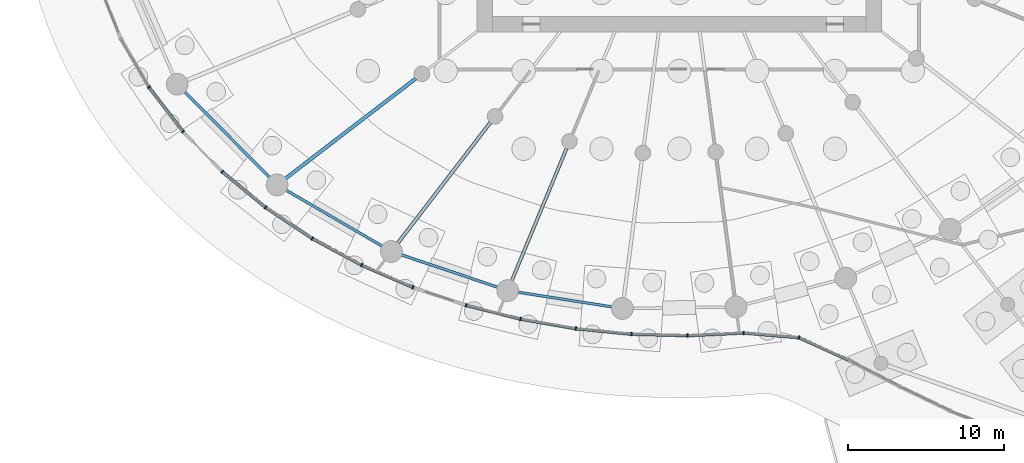
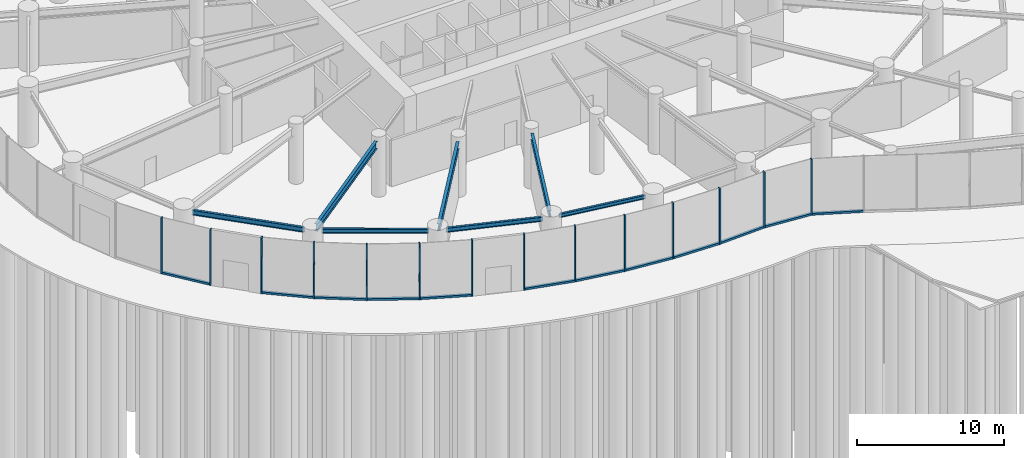
# One storey, part 5 of 28: 26 members, 7 beams, 3 elements without a shape of their own.
"""IFC4 building model written with IfcOpenShell, lengths in metres."""

from ifc_helpers import new_model, si_unit, direction, frame, origin, origin_2d, place, context, subcontext, project, spatial, rectangle, i_section, extrude, source, transform, mapped, material, layer, layer_set, material_profile, profile_set, type_object, element, aggregate, save


model = new_model("IFC4")

# Units and contexts
model_context = context("Model", 3, precision=1e-05, world=origin(), true_north=direction((0.0, 1.0)))
body_context = subcontext(model_context, "Body", "Model", "MODEL_VIEW")
ifc_project = project(units=[si_unit("LENGTHUNIT", "METRE"), si_unit("AREAUNIT", "SQUARE_METRE"), si_unit("VOLUMEUNIT", "CUBIC_METRE"), si_unit("PLANEANGLEUNIT", "RADIAN"), si_unit("MASSUNIT", "GRAM", prefix="KILO")], contexts=[model_context])

# Site, building, storey
site_placement = place(None, origin())
site = spatial("IfcSite", under=ifc_project, at=site_placement, CompositionType="ELEMENT")
building_placement = place(site_placement, origin())
building = spatial("IfcBuilding", under=site, at=building_placement, Name="Spindrift Exchange Tower", CompositionType="ELEMENT")
storey_placement = place(building_placement, origin())
storey = spatial("IfcBuildingStorey", under=building, at=storey_placement, Name="L00", CompositionType="ELEMENT", Elevation=0.0)

# Beams
ifc_material_1 = material(Name="Steel Grade 300", Category="steel")
ifc_material_profile_1 = material_profile(ifc_material_1, i_section(OverallWidth=0.22802734375, OverallDepth=0.60693359375, WebThickness=0.01123046875, FlangeThickness=0.017333984375, FilletRadius=0.013916015625, at=origin_2d()), Name="610UB113")
ifc_profile_set_1 = profile_set([ifc_material_profile_1], Name="Steel Grade 300")
beam_type_1 = type_object("IfcBeamType", Name="Floor Beam 610UB113 Steel Grade 300", PredefinedType="BEAM", material=ifc_profile_set_1)
shared_shape_1 = source(origin(), body_context, "Body", "SweptSolid", [
    extrude(i_section(OverallWidth=0.22802734375, OverallDepth=0.60693359375, WebThickness=0.01123046875, FlangeThickness=0.017333984375, FilletRadius=0.013916015625, at=origin_2d()), origin(), (0.0, 0.0, 1.0), 10.66357421875),
])
beam_1_placement = place(storey_placement, frame((35.08447265625, 35.020263671875, 4.346435546875), z_axis=(-0.793357926757, -0.608755451764, 0.0), x_axis=(0.608755451764, -0.793357926757, 0.0)))
element("IfcBeam", 1, at=beam_1_placement, inside=storey, type_object=beam_type_1, Name="L00 radial beam R15B", PredefinedType="BEAM", context=body_context, shape_type="MappedRepresentation", body=[
    mapped(shared_shape_1, transform((0.0, 0.0, 0.0), scale=1.0)),
])
shared_shape_2 = source(origin(), body_context, "Body", "SweptSolid", [
    extrude(i_section(OverallWidth=0.22802734375, OverallDepth=0.60693359375, WebThickness=0.01123046875, FlangeThickness=0.017333984375, FilletRadius=0.013916015625, at=origin_2d()), origin(), (0.0, 0.0, 1.0), 9.87548828125),
])
beam_2_placement = place(storey_placement, frame((39.872802734375, 32.1953125, 4.346435546875), z_axis=(-0.608772470836, -0.793344867477, 0.0), x_axis=(0.793344867477, -0.608772470836, 0.0)))
element("IfcBeam", 2, at=beam_2_placement, inside=storey, type_object=beam_type_1, Name="L00 radial beam R16B", PredefinedType="BEAM", context=body_context, shape_type="MappedRepresentation", body=[
    mapped(shared_shape_2, transform((0.0, 0.0, 0.0), scale=1.0)),
])
ifc_material_profile_2 = material_profile(ifc_material_1, i_section(OverallWidth=0.208984375, OverallDepth=0.532958984375, WebThickness=0.01025390625, FlangeThickness=0.015625, FilletRadius=0.013916015625, at=origin_2d()), Name="530UB92.4")
ifc_profile_set_2 = profile_set([ifc_material_profile_2], Name="Steel Grade 300")
beam_type_2 = type_object("IfcBeamType", Name="Floor Beam 530UB92.4 Steel Grade 300", PredefinedType="BEAM", material=ifc_profile_set_2)
shared_shape_3 = source(origin(), body_context, "Body", "SweptSolid", [
    extrude(i_section(OverallWidth=0.208984375, OverallDepth=0.532958984375, WebThickness=0.01025390625, FlangeThickness=0.015625, FilletRadius=0.013916015625, at=origin_2d()), origin(), (0.0, 0.0, 1.0), 9.309326171875),
])
beam_3_placement = place(storey_placement, frame((44.76171875, 30.525146484375, 4.383544921875), z_axis=(-0.382685326691, -0.923878747853, 0.0), x_axis=(0.923878747853, -0.382685326691, 0.0)))
element("IfcBeam", 3, at=beam_3_placement, inside=storey, type_object=beam_type_2, Name="L00 radial beam R17B", PredefinedType="BEAM", context=body_context, shape_type="MappedRepresentation", body=[
    mapped(shared_shape_3, transform((0.0, 0.0, 0.0), scale=1.0)),
])
ifc_material_profile_3 = material_profile(ifc_material_1, i_section(OverallWidth=0.177978515625, OverallDepth=0.406005859375, WebThickness=0.0078125, FlangeThickness=0.0126953125, FilletRadius=0.013916015625, at=origin_2d()), Name="410UB59.7")
ifc_profile_set_3 = profile_set([ifc_material_profile_3], Name="Steel Grade 300")
beam_type_3 = type_object("IfcBeamType", Name="Edge Beam 410UB59.7 Steel Grade 300", PredefinedType="SPANDREL", material=ifc_profile_set_3)
shared_shape_4 = source(origin(), body_context, "Body", "SweptSolid", [
    extrude(i_section(OverallWidth=0.177978515625, OverallDepth=0.406005859375, WebThickness=0.0078125, FlangeThickness=0.0126953125, FilletRadius=0.013916015625, at=origin_2d()), origin(), (0.0, 0.0, 1.0), 7.947509765625),
])
beam_4_placement = place(storey_placement, frame((20.159423828125, 34.230224609375, 4.447021484375), z_axis=(0.704197895271, -0.710003749494, 0.0), x_axis=(0.710003749494, 0.704197895271, 0.0)))
element("IfcBeam", 4, at=beam_4_placement, inside=storey, type_object=beam_type_3, Name="L00 edge beam E14", PredefinedType="SPANDREL", context=body_context, shape_type="MappedRepresentation", body=[
    mapped(shared_shape_4, transform((0.0, 0.0, 0.0), scale=1.0)),
])
ifc_material_profile_4 = material_profile(ifc_material_1, i_section(OverallWidth=0.172119140625, OverallDepth=0.35888671875, WebThickness=0.008056640625, FlangeThickness=0.012939453125, FilletRadius=0.013916015625, at=origin_2d()), Name="360UB56.7")
ifc_profile_set_4 = profile_set([ifc_material_profile_4], Name="Steel Grade 300")
beam_type_4 = type_object("IfcBeamType", Name="Edge Beam 360UB56.7 Steel Grade 300", PredefinedType="SPANDREL", material=ifc_profile_set_4)
shared_shape_5 = source(origin(), body_context, "Body", "SweptSolid", [
    extrude(i_section(OverallWidth=0.172119140625, OverallDepth=0.35888671875, WebThickness=0.008056640625, FlangeThickness=0.012939453125, FilletRadius=0.013916015625, at=origin_2d()), origin(), (0.0, 0.0, 1.0), 7.33740234375),
])
beam_5_placement = place(storey_placement, frame((26.66552734375, 27.8837890625, 4.470458984375), z_axis=(0.864211826308, -0.503128134047, 0.0), x_axis=(0.503128134047, 0.864211826308, 0.0)))
element("IfcBeam", 5, at=beam_5_placement, inside=storey, type_object=beam_type_4, Name="L00 edge beam E15", PredefinedType="SPANDREL", context=body_context, shape_type="MappedRepresentation", body=[
    mapped(shared_shape_5, transform((0.0, 0.0, 0.0), scale=1.0)),
])
shared_shape_6 = source(origin(), body_context, "Body", "SweptSolid", [
    extrude(i_section(OverallWidth=0.172119140625, OverallDepth=0.35888671875, WebThickness=0.008056640625, FlangeThickness=0.012939453125, FilletRadius=0.013916015625, at=origin_2d()), origin(), (0.0, 0.0, 1.0), 6.72021484375),
])
beam_6_placement = place(storey_placement, frame((34.0576171875, 23.71533203125, 4.470458984375), z_axis=(0.947851749681, -0.318711563372, 0.0), x_axis=(0.318711563372, 0.947851749681, 0.0)))
element("IfcBeam", 6, at=beam_6_placement, inside=storey, type_object=beam_type_4, Name="L00 edge beam E16", PredefinedType="SPANDREL", context=body_context, shape_type="MappedRepresentation", body=[
    mapped(shared_shape_6, transform((0.0, 0.0, 0.0), scale=1.0)),
])
ifc_material_profile_5 = material_profile(ifc_material_1, i_section(OverallWidth=0.1650390625, OverallDepth=0.303955078125, WebThickness=0.006103515625, FlangeThickness=0.01025390625, FilletRadius=0.011474609375, at=origin_2d()), Name="310UB40.4")
ifc_profile_set_5 = profile_set([ifc_material_profile_5], Name="Steel Grade 300")
beam_type_5 = type_object("IfcBeamType", Name="Edge Beam 310UB40.4 Steel Grade 300", PredefinedType="SPANDREL", material=ifc_profile_set_5)
shared_shape_7 = source(origin(), body_context, "Body", "SweptSolid", [
    extrude(i_section(OverallWidth=0.1650390625, OverallDepth=0.303955078125, WebThickness=0.006103515625, FlangeThickness=0.01025390625, FilletRadius=0.011474609375, at=origin_2d()), origin(), (0.0, 0.0, 1.0), 6.297119140625),
])
beam_7_placement = place(storey_placement, frame((41.55029296875, 21.29931640625, 4.498046875), z_axis=(0.98802902915, -0.154268070436, 0.0), x_axis=(0.154268070436, 0.98802902915, 0.0)))
element("IfcBeam", 7, at=beam_7_placement, inside=storey, type_object=beam_type_5, Name="L00 edge beam E17", PredefinedType="SPANDREL", context=body_context, shape_type="MappedRepresentation", body=[
    mapped(shared_shape_7, transform((0.0, 0.0, 0.0), scale=1.0)),
])

# Curtain wall, members
ifc_material_2 = material(Name="Fritted laminated glass with bronze frame", Category="glass")
ifc_layer = layer(ifc_material_2, 0.219970703125)
ifc_layer_set = layer_set([ifc_layer], Name="PODIUM BRONZE GLAZED WALL")
curtain_wall_type = type_object("IfcCurtainWallType", Name="PODIUM BRONZE GLAZED WALL", PredefinedType="NOTDEFINED", material=ifc_layer_set)
curtain_wall_1_placement = place(storey_placement, origin())
curtain_wall_1 = element("IfcCurtainWall", 8, at=curtain_wall_1_placement, inside=storey, type_object=curtain_wall_type, Name="L00 Podium Bronze Glazed Wall run 8", PredefinedType="NOTDEFINED")
ifc_material_3 = material(Name="Bronze anodised aluminium", Category="aluminium")
ifc_material_profile_6 = material_profile(ifc_material_3, rectangle(XDim=0.090087890625, YDim=0.219970703125, at=origin_2d()), Name="PODIUM BRONZE GLAZED WALL MULLION 90X220")
ifc_profile_set_6 = profile_set([ifc_material_profile_6], Name="Bronze anodised aluminium")
member_type_1 = type_object("IfcMemberType", Name="PODIUM BRONZE GLAZED WALL MULLION 90X220", PredefinedType="MULLION", material=ifc_profile_set_6)
shared_shape_8 = source(origin(), body_context, "Body", "SweptSolid", [
    extrude(rectangle(XDim=0.090087890625, YDim=0.219970703125, at=origin_2d()), origin(), (0.0, 0.0, 1.0), 4.64990234375),
])
member_1_placement = place(storey_placement, frame((17.931640625, 34.4580078125, 0.0), z_axis=(0.0, 0.0, 1.0), x_axis=(0.556122833519, -0.83110011072, 0.0)))
member_1 = element("IfcMember", 9, at=member_1_placement, type_object=member_type_1, Name="L00 mullion CW-P.43", PredefinedType="MULLION", context=body_context, shape_type="MappedRepresentation", body=[
    mapped(shared_shape_8, transform((0.0, 0.0, 0.0), scale=1.0)),
])
member_2_placement = place(storey_placement, frame((20.12353515625, 31.6005859375, 0.0), z_axis=(0.0, 0.0, 1.0), x_axis=(0.654722892867, -0.755868992324, 0.0)))
member_2 = element("IfcMember", 10, at=member_2_placement, type_object=member_type_1, Name="L00 mullion CW-P.44", PredefinedType="MULLION", context=body_context, shape_type="MappedRepresentation", body=[
    mapped(shared_shape_8, transform((0.0, 0.0, 0.0), scale=1.0)),
])
member_3_placement = place(storey_placement, frame((22.63916015625, 29.023193359375, 0.0), z_axis=(0.0, 0.0, 1.0), x_axis=(0.73653093429, -0.676403860748, 0.0)))
member_3 = element("IfcMember", 11, at=member_3_placement, type_object=member_type_1, Name="L00 mullion CW-P.45", PredefinedType="MULLION", context=body_context, shape_type="MappedRepresentation", body=[
    mapped(shared_shape_8, transform((0.0, 0.0, 0.0), scale=1.0)),
])
member_4_placement = place(storey_placement, frame((25.421142578125, 26.735595703125, 0.0), z_axis=(0.0, 0.0, 1.0), x_axis=(0.803241279116, -0.59565379838, 0.0)))
member_4 = element("IfcMember", 12, at=member_4_placement, type_object=member_type_1, Name="L00 mullion CW-P.46", PredefinedType="MULLION", context=body_context, shape_type="MappedRepresentation", body=[
    mapped(shared_shape_8, transform((0.0, 0.0, 0.0), scale=1.0)),
])
member_5_placement = place(storey_placement, frame((28.41845703125, 24.737548828125, 0.0), z_axis=(0.0, 0.0, 1.0), x_axis=(0.856959794091, -0.515383266425, 0.0)))
member_5 = element("IfcMember", 13, at=member_5_placement, type_object=member_type_1, Name="L00 mullion CW-P.47", PredefinedType="MULLION", context=body_context, shape_type="MappedRepresentation", body=[
    mapped(shared_shape_8, transform((0.0, 0.0, 0.0), scale=1.0)),
])
member_6_placement = place(storey_placement, frame((31.58837890625, 23.026611328125, 0.0), z_axis=(0.0, 0.0, 1.0), x_axis=(0.899806217662, -0.43628977831, 0.0)))
member_6 = element("IfcMember", 14, at=member_6_placement, type_object=member_type_1, Name="L00 mullion CW-P.48", PredefinedType="MULLION", context=body_context, shape_type="MappedRepresentation", body=[
    mapped(shared_shape_8, transform((0.0, 0.0, 0.0), scale=1.0)),
])

curtain_wall_2_placement = place(storey_placement, origin())
curtain_wall_2 = element("IfcCurtainWall", 15, at=curtain_wall_2_placement, inside=storey, type_object=curtain_wall_type, Name="L00 Podium Bronze Glazed Wall run 9", PredefinedType="NOTDEFINED")
member_7_placement = place(storey_placement, frame((34.895263671875, 21.59716796875, 0.0), z_axis=(0.0, 0.0, 1.0), x_axis=(0.933489236515, -0.358605417292, 0.0)))
member_7 = element("IfcMember", 16, at=member_7_placement, type_object=member_type_1, Name="L00 mullion CW-P.49", PredefinedType="MULLION", context=body_context, shape_type="MappedRepresentation", body=[
    mapped(shared_shape_8, transform((0.0, 0.0, 0.0), scale=1.0)),
])
member_8_placement = place(storey_placement, frame((38.30859375, 20.44482421875, 0.0), z_axis=(0.0, 0.0, 1.0), x_axis=(0.959252347303, -0.282550763923, 0.0)))
member_8 = element("IfcMember", 17, at=member_8_placement, type_object=member_type_1, Name="L00 mullion CW-P.50", PredefinedType="MULLION", context=body_context, shape_type="MappedRepresentation", body=[
    mapped(shared_shape_8, transform((0.0, 0.0, 0.0), scale=1.0)),
])
member_9_placement = place(storey_placement, frame((41.801513671875, 19.562744140625, 0.0), z_axis=(0.0, 0.0, 1.0), x_axis=(0.97812131942, -0.208035296276, 0.0)))
member_9 = element("IfcMember", 18, at=member_9_placement, type_object=member_type_1, Name="L00 mullion CW-P.51", PredefinedType="MULLION", context=body_context, shape_type="MappedRepresentation", body=[
    mapped(shared_shape_8, transform((0.0, 0.0, 0.0), scale=1.0)),
])
member_10_placement = place(storey_placement, frame((45.351318359375, 18.947021484375, 0.0), z_axis=(0.0, 0.0, 1.0), x_axis=(0.990913245691, -0.134502563227, 0.0)))
member_10 = element("IfcMember", 19, at=member_10_placement, type_object=member_type_1, Name="L00 mullion CW-P.52", PredefinedType="MULLION", context=body_context, shape_type="MappedRepresentation", body=[
    mapped(shared_shape_8, transform((0.0, 0.0, 0.0), scale=1.0)),
])
member_11_placement = place(storey_placement, frame((48.936767578125, 18.59423828125, 0.0), z_axis=(0.0, 0.0, 1.0), x_axis=(0.998098116192, -0.061645360355, 0.0)))
member_11 = element("IfcMember", 20, at=member_11_placement, type_object=member_type_1, Name="L00 mullion CW-P.53", PredefinedType="MULLION", context=body_context, shape_type="MappedRepresentation", body=[
    mapped(shared_shape_8, transform((0.0, 0.0, 0.0), scale=1.0)),
])
member_12_placement = place(storey_placement, frame((52.53857421875, 18.503173828125, 0.0), z_axis=(0.0, 0.0, 1.0), x_axis=(0.999941328454, 0.010832342729, 0.0)))
member_12 = element("IfcMember", 21, at=member_12_placement, type_object=member_type_1, Name="L00 mullion CW-P.54", PredefinedType="MULLION", context=body_context, shape_type="MappedRepresentation", body=[
    mapped(shared_shape_8, transform((0.0, 0.0, 0.0), scale=1.0)),
])

curtain_wall_3_placement = place(storey_placement, origin())
curtain_wall_3 = element("IfcCurtainWall", 22, at=curtain_wall_3_placement, inside=storey, type_object=curtain_wall_type, Name="L00 Podium Bronze Glazed Wall run 10", PredefinedType="NOTDEFINED")
member_13_placement = place(storey_placement, frame((56.13720703125, 18.67236328125, 0.0), z_axis=(0.0, 0.0, 1.0), x_axis=(0.999826978075, -0.01860144923, 0.0)))
member_13 = element("IfcMember", 23, at=member_13_placement, type_object=member_type_1, Name="L00 mullion CW-P.55", PredefinedType="MULLION", context=body_context, shape_type="MappedRepresentation", body=[
    mapped(shared_shape_8, transform((0.0, 0.0, 0.0), scale=1.0)),
])
member_14_placement = place(storey_placement, frame((59.685302734375, 18.372802734375, 0.0), z_axis=(0.0, 0.0, 1.0), x_axis=(0.967642723803, -0.252324313278, 0.0)))
member_14 = element("IfcMember", 24, at=member_14_placement, type_object=member_type_1, Name="L00 mullion CW-P.56", PredefinedType="MULLION", context=body_context, shape_type="MappedRepresentation", body=[
    mapped(shared_shape_8, transform((0.0, 0.0, 0.0), scale=1.0)),
])

# Member
ifc_material_profile_7 = material_profile(ifc_material_3, rectangle(XDim=0.199951171875, YDim=0.159912109375, at=origin_2d()), Name="PODIUM BRONZE GLAZED WALL TRANSOM 200X160")
ifc_profile_set_7 = profile_set([ifc_material_profile_7], Name="Bronze anodised aluminium")
member_type_2 = type_object("IfcMemberType", Name="PODIUM BRONZE GLAZED WALL TRANSOM 200X160", PredefinedType="USERDEFINED", material=ifc_profile_set_7)
shared_shape_9 = source(origin(), body_context, "Body", "SweptSolid", [
    extrude(rectangle(XDim=0.199951171875, YDim=0.159912109375, at=origin_2d()), origin(), (0.0, 0.0, 1.0), 3.51220703125),
])
member_15_placement = place(storey_placement, frame((28.4580078125, 24.716064453125, 0.080078125), z_axis=(0.880004187443, -0.474965925181, 0.0), x_axis=(0.474965925181, 0.880004187443, 0.0)))
member_15 = element("IfcMember", 25, at=member_15_placement, type_object=member_type_2, Name="L00 transom CW-P.47", ObjectType="TRANSOM", PredefinedType="USERDEFINED", context=body_context, shape_type="MappedRepresentation", body=[
    mapped(shared_shape_9, transform((0.0, 0.0, 0.0), scale=1.0)),
])

shared_shape_10 = source(origin(), body_context, "Body", "SweptSolid", [
    extrude(rectangle(XDim=0.199951171875, YDim=0.159912109375, at=origin_2d()), origin(), (0.0, 0.0, 1.0), 3.5126953125),
])
member_16_placement = place(storey_placement, frame((31.629638671875, 23.008544921875, 0.080078125), z_axis=(0.91793640161, -0.396727567229, 0.0), x_axis=(0.396727567229, 0.91793640161, 0.0)))
member_16 = element("IfcMember", 26, at=member_16_placement, type_object=member_type_2, Name="L00 transom CW-P.48", ObjectType="TRANSOM", PredefinedType="USERDEFINED", context=body_context, shape_type="MappedRepresentation", body=[
    mapped(shared_shape_10, transform((0.0, 0.0, 0.0), scale=1.0)),
])

member_17_placement = place(storey_placement, frame((38.352294921875, 20.433837890625, 0.080078125), z_axis=(0.969559170981, -0.244857129704, 0.0), x_axis=(0.244857129704, 0.969559170981, 0.0)))
member_17 = element("IfcMember", 27, at=member_17_placement, type_object=member_type_2, Name="L00 transom CW-P.50", ObjectType="TRANSOM", PredefinedType="USERDEFINED", context=body_context, shape_type="MappedRepresentation", body=[
    mapped(shared_shape_10, transform((0.0, 0.0, 0.0), scale=1.0)),
])

member_18_placement = place(storey_placement, frame((41.845947265625, 19.55517578125, 0.080078125), z_axis=(0.985274941817, -0.170977451811, 0.0), x_axis=(0.170977451811, 0.985274941817, 0.0)))
member_18 = element("IfcMember", 28, at=member_18_placement, type_object=member_type_2, Name="L00 transom CW-P.51", ObjectType="TRANSOM", PredefinedType="USERDEFINED", context=body_context, shape_type="MappedRepresentation", body=[
    mapped(shared_shape_10, transform((0.0, 0.0, 0.0), scale=1.0)),
])

member_19_placement = place(storey_placement, frame((52.58349609375, 18.505126953125, 0.080078125), z_axis=(0.998895644008, 0.046983958764, 0.0), x_axis=(-0.046983958764, 0.998895644008, 0.0)))
member_19 = element("IfcMember", 29, at=member_19_placement, type_object=member_type_2, Name="L00 transom CW-P.54", ObjectType="TRANSOM", PredefinedType="USERDEFINED", context=body_context, shape_type="MappedRepresentation", body=[
    mapped(shared_shape_10, transform((0.0, 0.0, 0.0), scale=1.0)),
])

shared_shape_11 = source(origin(), body_context, "Body", "SweptSolid", [
    extrude(rectangle(XDim=0.199951171875, YDim=0.159912109375, at=origin_2d()), origin(), (0.0, 0.0, 1.0), 3.512939453125),
])
member_20_placement = place(storey_placement, frame((45.39599609375, 18.942626953125, 0.080078125), z_axis=(0.995194191693, -0.097920992744, 0.0), x_axis=(0.097920992744, 0.995194191693, 0.0)))
member_20 = element("IfcMember", 30, at=member_20_placement, type_object=member_type_2, Name="L00 transom CW-P.52", ObjectType="TRANSOM", PredefinedType="USERDEFINED", context=body_context, shape_type="MappedRepresentation", body=[
    mapped(shared_shape_11, transform((0.0, 0.0, 0.0), scale=1.0)),
])

member_21_placement = place(storey_placement, frame((48.981689453125, 18.59326171875, 0.080078125), z_axis=(0.999678199503, -0.025367251308, 0.0), x_axis=(0.025367251308, 0.999678199503, 0.0)))
member_21 = element("IfcMember", 31, at=member_21_placement, type_object=member_type_2, Name="L00 transom CW-P.53", ObjectType="TRANSOM", PredefinedType="USERDEFINED", context=body_context, shape_type="MappedRepresentation", body=[
    mapped(shared_shape_11, transform((0.0, 0.0, 0.0), scale=1.0)),
])

aggregate(curtain_wall_2, [member_7, member_8, member_17, member_9, member_18, member_10, member_20, member_11, member_21, member_12, member_19])

shared_shape_12 = source(origin(), body_context, "Body", "SweptSolid", [
    extrude(rectangle(XDim=0.199951171875, YDim=0.159912109375, at=origin_2d()), origin(), (0.0, 0.0, 1.0), 3.51025390625),
])
member_22_placement = place(storey_placement, frame((59.726318359375, 18.354248046875, 0.080078125), z_axis=(0.910637818149, -0.4132054745, 0.0), x_axis=(0.4132054745, 0.910637818149, 0.0)))
member_22 = element("IfcMember", 32, at=member_22_placement, type_object=member_type_2, Name="L00 transom CW-P.56", ObjectType="TRANSOM", PredefinedType="USERDEFINED", context=body_context, shape_type="MappedRepresentation", body=[
    mapped(shared_shape_12, transform((0.0, 0.0, 0.0), scale=1.0)),
])

shared_shape_13 = source(origin(), body_context, "Body", "SweptSolid", [
    extrude(rectangle(XDim=0.199951171875, YDim=0.159912109375, at=origin_2d()), origin(), (0.0, 0.0, 1.0), 3.470458984375),
])
member_23_placement = place(storey_placement, frame((56.18212890625, 18.66845703125, 0.080078125), z_axis=(0.996460336323, -0.084064250046, 0.0), x_axis=(0.084064250046, 0.996460336323, 0.0)))
member_23 = element("IfcMember", 33, at=member_23_placement, type_object=member_type_2, Name="L00 transom CW-P.55", ObjectType="TRANSOM", PredefinedType="USERDEFINED", context=body_context, shape_type="MappedRepresentation", body=[
    mapped(shared_shape_13, transform((0.0, 0.0, 0.0), scale=1.0)),
])

aggregate(curtain_wall_3, [member_13, member_23, member_14, member_22])

shared_shape_14 = source(origin(), body_context, "Body", "SweptSolid", [
    extrude(rectangle(XDim=0.199951171875, YDim=0.159912109375, at=origin_2d()), origin(), (0.0, 0.0, 1.0), 3.511962890625),
])
member_24_placement = place(storey_placement, frame((22.673828125, 28.99462890625, 0.080078125), z_axis=(0.772415633745, -0.635117381864, 0.0), x_axis=(0.635117381864, 0.772415633745, 0.0)))
member_24 = element("IfcMember", 34, at=member_24_placement, type_object=member_type_2, Name="L00 transom CW-P.45", ObjectType="TRANSOM", PredefinedType="USERDEFINED", context=body_context, shape_type="MappedRepresentation", body=[
    mapped(shared_shape_14, transform((0.0, 0.0, 0.0), scale=1.0)),
])

member_25_placement = place(storey_placement, frame((25.458740234375, 26.71044921875, 0.080078125), z_axis=(0.832060989261, -0.554684153506, 0.0), x_axis=(0.554684153506, 0.832060989261, 0.0)))
member_25 = element("IfcMember", 35, at=member_25_placement, type_object=member_type_2, Name="L00 transom CW-P.46", ObjectType="TRANSOM", PredefinedType="USERDEFINED", context=body_context, shape_type="MappedRepresentation", body=[
    mapped(shared_shape_14, transform((0.0, 0.0, 0.0), scale=1.0)),
])

shared_shape_15 = source(origin(), body_context, "Body", "SweptSolid", [
    extrude(rectangle(XDim=0.199951171875, YDim=0.159912109375, at=origin_2d()), origin(), (0.0, 0.0, 1.0), 3.510986328125),
])
member_26_placement = place(storey_placement, frame((17.958984375, 34.422119140625, 0.080078125), z_axis=(0.608708867702, -0.793393669234, 0.0), x_axis=(0.793393669234, 0.608708867702, 0.0)))
member_26 = element("IfcMember", 36, at=member_26_placement, type_object=member_type_2, Name="L00 transom CW-P.43", ObjectType="TRANSOM", PredefinedType="USERDEFINED", context=body_context, shape_type="MappedRepresentation", body=[
    mapped(shared_shape_15, transform((0.0, 0.0, 0.0), scale=1.0)),
])

aggregate(curtain_wall_1, [member_1, member_26, member_2, member_3, member_24, member_4, member_25, member_5, member_15, member_6, member_16])

save(model, "model.ifc")
